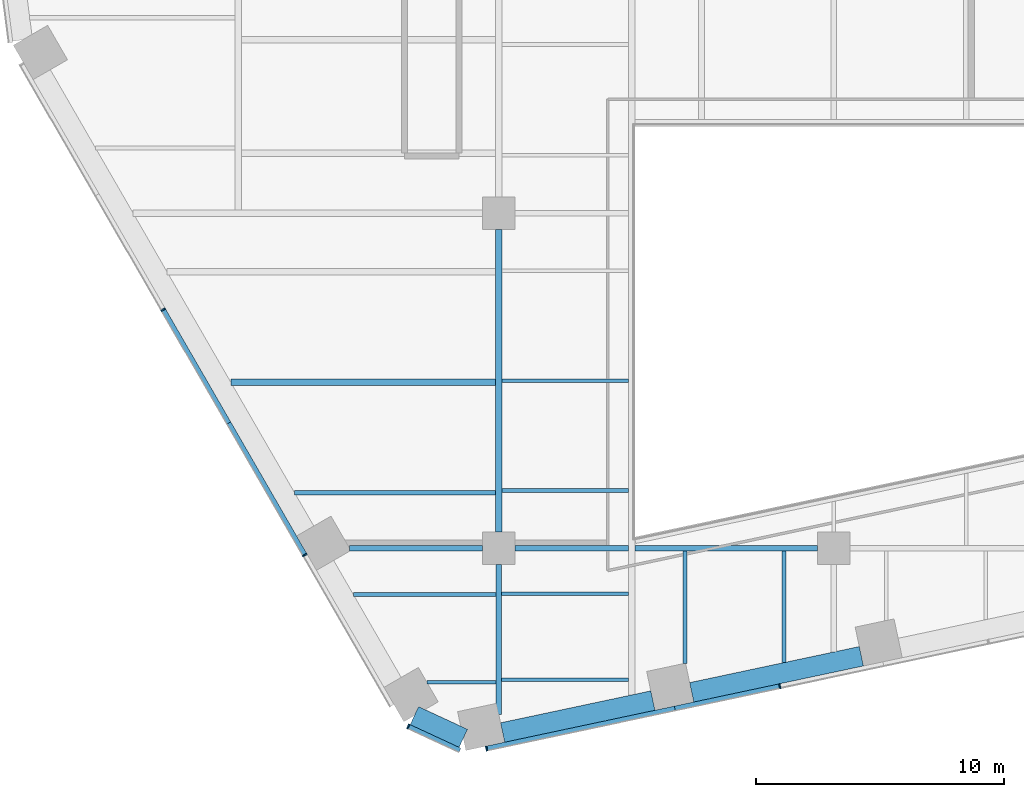
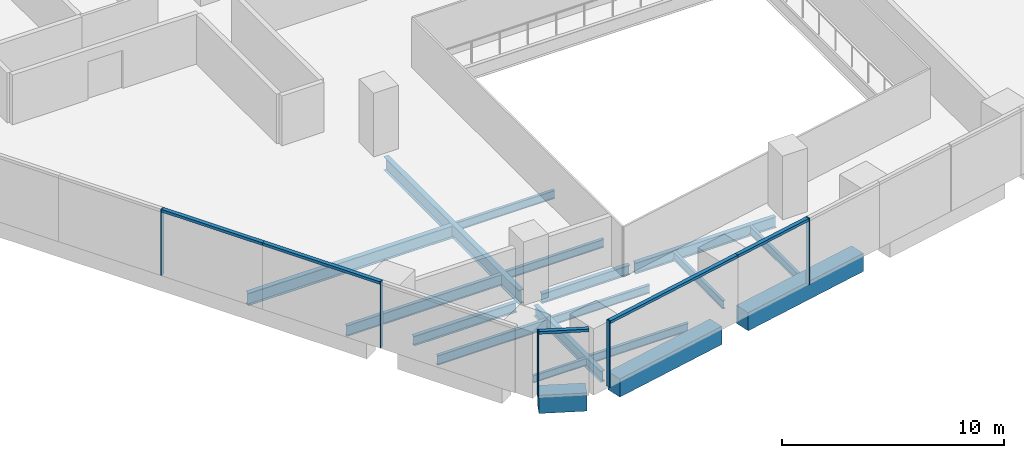
# One storey, part 2 of 21: 18 beams, 10 members, 3 elements without a shape of their own.
"""IFC4 building model written with IfcOpenShell, lengths in metres."""

from ifc_helpers import new_model, si_unit, direction, frame, origin, origin_2d, place, context, subcontext, project, spatial, rectangle, i_section, extrude, material, layer, layer_set, material_profile, profile_set, type_object, element, aggregate, save


model = new_model("IFC4")

# Units and contexts
model_context = context("Model", 3, precision=1e-05, world=origin(), true_north=direction((0.0, 1.0)))
body_context = subcontext(model_context, "Body", "Model", "MODEL_VIEW")
ifc_project = project(units=[si_unit("LENGTHUNIT", "METRE"), si_unit("AREAUNIT", "SQUARE_METRE"), si_unit("VOLUMEUNIT", "CUBIC_METRE"), si_unit("PLANEANGLEUNIT", "RADIAN"), si_unit("MASSUNIT", "GRAM", prefix="KILO")], contexts=[model_context])

# Site, building, storey
site_placement = place(None, origin())
site = spatial("IfcSite", under=ifc_project, at=site_placement, CompositionType="ELEMENT")
building_placement = place(site_placement, origin())
building = spatial("IfcBuilding", under=site, at=building_placement, Name="Isthmus Gate Tower", CompositionType="ELEMENT")
storey_placement = place(building_placement, frame((0.0, 0.0, 106.199951171875)))
storey = spatial("IfcBuildingStorey", under=building, at=storey_placement, Name="L25", CompositionType="ELEMENT", Elevation=106.199951171875)

# Curtain wall, members
ifc_material_1 = material(Name="Aluminium, pale champagne anodised", Category="aluminium")
ifc_layer = layer(ifc_material_1, 0.199951171875)
ifc_layer_set = layer_set([ifc_layer], Name="CW-1 UNITISED CURTAIN WALL 200 DEEP")
curtain_wall_type = type_object("IfcCurtainWallType", Name="CW-1 UNITISED CURTAIN WALL 200 DEEP", PredefinedType="NOTDEFINED", material=ifc_layer_set)
curtain_wall_1_placement = place(storey_placement, origin())
curtain_wall_1 = element("IfcCurtainWall", 1, at=curtain_wall_1_placement, inside=storey, type_object=curtain_wall_type, Name="CW-1 SW L25", PredefinedType="NOTDEFINED")
ifc_material_2 = material(Name="Aluminium, pale champagne anodised", Category="aluminium")
ifc_material_profile_1 = material_profile(ifc_material_2, rectangle(XDim=0.06005859375, YDim=0.199951171875, at=origin_2d()), Name="60x200")
ifc_profile_set_1 = profile_set([ifc_material_profile_1], Name="Aluminium, pale champagne anodised")
member_type_1 = type_object("IfcMemberType", Name="CW-1 MULLION 60 X 200", PredefinedType="MULLION", material=ifc_profile_set_1)
member_1_placement = place(storey_placement, frame((-27.026611328125, -17.388427734375, 0.0), z_axis=(0.0, 0.0, 1.0), x_axis=(0.5, -0.866025403784, 0.0)))
member_1 = element("IfcMember", 2, at=member_1_placement, type_object=member_type_1, Name="CW-1 mullion", PredefinedType="MULLION", context=body_context, shape_type="SweptSolid", body=[
    extrude(rectangle(XDim=0.06005859375, YDim=0.199951171875, at=origin_2d()), origin(), (0.0, 0.0, 1.0), 3.650146484375),
])
member_2_placement = place(storey_placement, frame((-21.318115234375, -27.27587890625, 0.0), z_axis=(0.0, 0.0, 1.0), x_axis=(0.5, -0.866025403784, 0.0)))
member_2 = element("IfcMember", 3, at=member_2_placement, type_object=member_type_1, Name="CW-1 mullion", PredefinedType="MULLION", context=body_context, shape_type="SweptSolid", body=[
    extrude(rectangle(XDim=0.06005859375, YDim=0.199951171875, at=origin_2d()), origin(), (0.0, 0.0, 1.0), 3.650146484375),
])

# Curtain wall, member
curtain_wall_2_placement = place(storey_placement, origin())
curtain_wall_2 = element("IfcCurtainWall", 4, at=curtain_wall_2_placement, inside=storey, type_object=curtain_wall_type, Name="CW-1 SW-S L25", PredefinedType="NOTDEFINED")
member_3_placement = place(storey_placement, frame((-17.14794921875, -34.184814453125, 0.0), z_axis=(0.0, 0.0, 1.0), x_axis=(0.907256261367, -0.420578264073, 0.0)))
member_3 = element("IfcMember", 5, at=member_3_placement, type_object=member_type_1, Name="CW-1 mullion", PredefinedType="MULLION", context=body_context, shape_type="SweptSolid", body=[
    extrude(rectangle(XDim=0.06005859375, YDim=0.199951171875, at=origin_2d()), origin(), (0.0, 0.0, 1.0), 3.650146484375),
])

# Curtain wall, members
curtain_wall_3_placement = place(storey_placement, origin())
curtain_wall_3 = element("IfcCurtainWall", 6, at=curtain_wall_3_placement, inside=storey, type_object=curtain_wall_type, Name="CW-1 S L25", PredefinedType="NOTDEFINED")
member_4_placement = place(storey_placement, frame((-13.992919921875, -35.076416015625, 0.0), z_axis=(0.0, 0.0, 1.0), x_axis=(0.978147600734, 0.207911690818, 0.0)))
member_4 = element("IfcMember", 7, at=member_4_placement, type_object=member_type_1, Name="CW-1 mullion", PredefinedType="MULLION", context=body_context, shape_type="SweptSolid", body=[
    extrude(rectangle(XDim=0.06005859375, YDim=0.199951171875, at=origin_2d()), origin(), (0.0, 0.0, 1.0), 3.650146484375),
])
member_5_placement = place(storey_placement, frame((-2.1728515625, -32.564208984375, 0.0), z_axis=(0.0, 0.0, 1.0), x_axis=(0.978147600734, 0.207911690818, 0.0)))
member_5 = element("IfcMember", 8, at=member_5_placement, type_object=member_type_1, Name="CW-1 mullion", PredefinedType="MULLION", context=body_context, shape_type="SweptSolid", body=[
    extrude(rectangle(XDim=0.06005859375, YDim=0.199951171875, at=origin_2d()), origin(), (0.0, 0.0, 1.0), 3.650146484375),
])

# Member
ifc_material_3 = material(Name="Aluminium, pale champagne anodised", Category="aluminium")
ifc_material_profile_2 = material_profile(ifc_material_3, rectangle(XDim=0.199951171875, YDim=0.14990234375, at=origin_2d()), Name="200x150")
ifc_profile_set_2 = profile_set([ifc_material_profile_2], Name="Aluminium, pale champagne anodised")
member_type_2 = type_object("IfcMemberType", Name="CW-1 TRANSOM 200 X 150", PredefinedType="USERDEFINED", material=ifc_profile_set_2)
member_6_placement = place(storey_placement, frame((-27.01171875, -17.414306640625, 3.574951171875), z_axis=(0.499996256241, -0.866027565234, 0.0), x_axis=(0.866027565234, 0.499996256241, 0.0)))
member_6 = element("IfcMember", 9, at=member_6_placement, type_object=member_type_2, Name="CW-1 transom", ObjectType="TRANSOM", PredefinedType="USERDEFINED", context=body_context, shape_type="SweptSolid", body=[
    extrude(rectangle(XDim=0.199951171875, YDim=0.14990234375, at=origin_2d()), origin(), (0.0, 0.0, 1.0), 5.24853515625),
])

member_7_placement = place(storey_placement, frame((-24.387451171875, -21.959716796875, 3.574951171875), z_axis=(0.500011900272, -0.86601853305, 0.0), x_axis=(0.86601853305, 0.500011900272, 0.0)))
member_7 = element("IfcMember", 10, at=member_7_placement, type_object=member_type_2, Name="CW-1 transom", ObjectType="TRANSOM", PredefinedType="USERDEFINED", context=body_context, shape_type="SweptSolid", body=[
    extrude(rectangle(XDim=0.199951171875, YDim=0.14990234375, at=origin_2d()), origin(), (0.0, 0.0, 1.0), 6.108642578125),
])

aggregate(curtain_wall_1, [member_1, member_6, member_7, member_2])

member_8_placement = place(storey_placement, frame((-17.120849609375, -34.197509765625, 3.574951171875), z_axis=(0.907246225564, -0.420599912268, 0.0), x_axis=(0.420599912268, 0.907246225564, 0.0)))
member_8 = element("IfcMember", 11, at=member_8_placement, type_object=member_type_2, Name="CW-1 transom", ObjectType="TRANSOM", PredefinedType="USERDEFINED", context=body_context, shape_type="SweptSolid", body=[
    extrude(rectangle(XDim=0.199951171875, YDim=0.14990234375, at=origin_2d()), origin(), (0.0, 0.0, 1.0), 2.258544921875),
])

aggregate(curtain_wall_2, [member_3, member_8])

member_9_placement = place(storey_placement, frame((-13.963623046875, -35.0703125, 3.574951171875), z_axis=(0.97815050153, 0.207898043176, 0.0), x_axis=(-0.207898043176, 0.97815050153, 0.0)))
member_9 = element("IfcMember", 12, at=member_9_placement, type_object=member_type_2, Name="CW-1 transom", ObjectType="TRANSOM", PredefinedType="USERDEFINED", context=body_context, shape_type="SweptSolid", body=[
    extrude(rectangle(XDim=0.199951171875, YDim=0.14990234375, at=origin_2d()), origin(), (0.0, 0.0, 1.0), 7.7294921875),
])

member_10_placement = place(storey_placement, frame((-6.403076171875, -33.46337890625, 3.574951171875), z_axis=(0.97813890815, 0.207952582007, 0.0), x_axis=(-0.207952582007, 0.97813890815, 0.0)))
member_10 = element("IfcMember", 13, at=member_10_placement, type_object=member_type_2, Name="CW-1 transom", ObjectType="TRANSOM", PredefinedType="USERDEFINED", context=body_context, shape_type="SweptSolid", body=[
    extrude(rectangle(XDim=0.199951171875, YDim=0.14990234375, at=origin_2d()), origin(), (0.0, 0.0, 1.0), 4.294677734375),
])

aggregate(curtain_wall_3, [member_4, member_9, member_10, member_5])

# Beams
ifc_material_4 = material(Name="Concrete f'c 70 MPa", Category="concrete")
ifc_material_profile_3 = material_profile(ifc_material_4, rectangle(XDim=0.800048828125, YDim=1.0, at=origin_2d()), Name="RC 800X1000")
ifc_profile_set_3 = profile_set([ifc_material_profile_3], Name="Concrete f'c 70 MPa")
beam_type_1 = type_object("IfcBeamType", Name="RC SPANDREL 800 X 1000", PredefinedType="SPANDREL", material=ifc_profile_set_3)
beam_1_placement = place(storey_placement, frame((1.112060546875, -31.354736328125, -0.5), z_axis=(-0.978149173437, -0.207904291694, 0.0), x_axis=(0.207904291694, -0.978149173437, 0.0)))
element("IfcBeam", 14, at=beam_1_placement, inside=storey, type_object=beam_type_1, Name="str-spandrel-L25-12", PredefinedType="SPANDREL", context=body_context, shape_type="SweptSolid", body=[
    extrude(rectangle(XDim=0.800048828125, YDim=1.0, at=origin_2d()), origin(), (0.0, 0.0, 1.0), 6.989501953125),
])
beam_2_placement = place(storey_placement, frame((-7.28955078125, -33.140625, -0.5), z_axis=(-0.978155442329, -0.207874795591, 0.0), x_axis=(0.207874795591, -0.978155442329, 0.0)))
element("IfcBeam", 15, at=beam_2_placement, inside=storey, type_object=beam_type_1, Name="str-spandrel-L25-13", PredefinedType="SPANDREL", context=body_context, shape_type="SweptSolid", body=[
    extrude(rectangle(XDim=0.800048828125, YDim=1.0, at=origin_2d()), origin(), (0.0, 0.0, 1.0), 6.189453125),
])
beam_3_placement = place(storey_placement, frame((-14.929443359375, -34.662109375, -0.5), z_axis=(-0.907290744498, 0.420503870314, 0.0), x_axis=(-0.420503870314, -0.907290744498, 0.0)))
element("IfcBeam", 16, at=beam_3_placement, inside=storey, type_object=beam_type_1, Name="str-spandrel-L25-14", PredefinedType="SPANDREL", context=body_context, shape_type="SweptSolid", body=[
    extrude(rectangle(XDim=0.800048828125, YDim=1.0, at=origin_2d()), origin(), (0.0, 0.0, 1.0), 2.173095703125),
])
ifc_material_5 = material(Name="Structural steel ASTM A992 Gr 50", Category="steel")
ifc_material_profile_4 = material_profile(ifc_material_5, i_section(OverallWidth=0.1396484375, OverallDepth=0.4033203125, WebThickness=0.00634765625, FlangeThickness=0.010986328125, at=origin_2d()), Name="W16X31")
ifc_profile_set_4 = profile_set([ifc_material_profile_4], Name="Structural steel ASTM A992 Gr 50")
beam_type_2 = type_object("IfcBeamType", Name="STEEL FLOOR BEAM W16X31", PredefinedType="JOIST", material=ifc_profile_set_4)
beam_4_placement = place(storey_placement, frame((-16.393310546875, -32.406005859375, -0.3515625), z_axis=(1.0, 0.0, 0.0), x_axis=(0.0, 1.0, 0.0)))
element("IfcBeam", 17, at=beam_4_placement, inside=storey, type_object=beam_type_2, Name="str-beam-L25-10-00", PredefinedType="JOIST", context=body_context, shape_type="SweptSolid", body=[
    extrude(i_section(OverallWidth=0.1396484375, OverallDepth=0.4033203125, WebThickness=0.00634765625, FlangeThickness=0.010986328125, at=origin_2d()), origin(), (0.0, 0.0, 1.0), 2.779052734375),
])
ifc_material_6 = material(Name="Structural steel ASTM A992 Gr 50", Category="steel")
ifc_material_profile_5 = material_profile(ifc_material_6, i_section(OverallWidth=0.15234375, OverallDepth=0.45068359375, WebThickness=0.0078125, FlangeThickness=0.010986328125, at=origin_2d()), Name="W18X35")
ifc_profile_set_5 = profile_set([ifc_material_profile_5], Name="Structural steel ASTM A992 Gr 50")
beam_type_3 = type_object("IfcBeamType", Name="STEEL FLOOR BEAM W18X35", PredefinedType="JOIST", material=ifc_profile_set_5)
for number, where, z_axis, x_axis, name in (
    (18, (-13.3857421875, -32.30322265625, -0.375244140625), (1.0, 0.0, 0.0), (0.0, 1.0, 0.0), "str-beam-L25-11-00"),
    (19, (-13.3857421875, -28.837646484375, -0.375244140625), (1.0, 0.0, 0.0), (0.0, 1.0, 0.0), "str-beam-L25-11-01"),
):
    element("IfcBeam", number, at=place(storey_placement, frame(where, z_axis=z_axis, x_axis=x_axis)), inside=storey, type_object=beam_type_3, Name=name, PredefinedType="JOIST", context=body_context, shape_type="SweptSolid", body=[
        extrude(i_section(OverallWidth=0.15234375, OverallDepth=0.45068359375, WebThickness=0.0078125, FlangeThickness=0.010986328125, at=origin_2d()), origin(), (0.0, 0.0, 1.0), 5.119140625),
    ])
for number, where, z_axis, x_axis, name in (
    (20, (-13.3681640625, -24.68017578125, -0.375244140625), (1.0, 0.0, 0.0), (0.0, 1.0, 0.0), "str-beam-L25-13-00"),
    (21, (-13.3681640625, -20.25, -0.375244140625), (1.0, 0.0, 0.0), (0.0, 1.0, 0.0), "str-beam-L25-13-01"),
):
    element("IfcBeam", number, at=place(storey_placement, frame(where, z_axis=z_axis, x_axis=x_axis)), inside=storey, type_object=beam_type_3, Name=name, PredefinedType="JOIST", context=body_context, shape_type="SweptSolid", body=[
        extrude(i_section(OverallWidth=0.15234375, OverallDepth=0.45068359375, WebThickness=0.0078125, FlangeThickness=0.010986328125, at=origin_2d()), origin(), (0.0, 0.0, 1.0), 5.1015625),
    ])
beam_5_placement = place(storey_placement, frame((-6.0, -31.6396484375, -0.375244140625), z_axis=(0.0, 1.0, 0.0), x_axis=(-1.0, 0.0, 0.0)))
element("IfcBeam", 22, at=beam_5_placement, inside=storey, type_object=beam_type_3, Name="str-beam-L25-16-00", PredefinedType="JOIST", context=body_context, shape_type="SweptSolid", body=[
    extrude(i_section(OverallWidth=0.15234375, OverallDepth=0.45068359375, WebThickness=0.0078125, FlangeThickness=0.010986328125, at=origin_2d()), origin(), (0.0, 0.0, 1.0), 4.525390625),
])
beam_6_placement = place(storey_placement, frame((-2.0, -31.607177734375, -0.375244140625), z_axis=(0.0, 1.0, 0.0), x_axis=(-1.0, 0.0, 0.0)))
element("IfcBeam", 23, at=beam_6_placement, inside=storey, type_object=beam_type_3, Name="str-beam-L25-16-01", PredefinedType="JOIST", context=body_context, shape_type="SweptSolid", body=[
    extrude(i_section(OverallWidth=0.15234375, OverallDepth=0.45068359375, WebThickness=0.0078125, FlangeThickness=0.010986328125, at=origin_2d()), origin(), (0.0, 0.0, 1.0), 4.492919921875),
])
ifc_material_7 = material(Name="Structural steel ASTM A992 Gr 50", Category="steel")
ifc_material_profile_6 = material_profile(ifc_material_7, i_section(OverallWidth=0.1650390625, OverallDepth=0.52392578125, WebThickness=0.009521484375, FlangeThickness=0.010986328125, at=origin_2d()), Name="W21X44")
ifc_profile_set_6 = profile_set([ifc_material_profile_6], Name="Structural steel ASTM A992 Gr 50")
beam_type_4 = type_object("IfcBeamType", Name="STEEL FLOOR BEAM W21X44", PredefinedType="JOIST", material=ifc_profile_set_6)
beam_7_placement = place(storey_placement, frame((-19.357421875, -28.871826171875, -0.411865234375), z_axis=(1.0, 0.0, 0.0), x_axis=(0.0, 1.0, 0.0)))
element("IfcBeam", 24, at=beam_7_placement, inside=storey, type_object=beam_type_4, Name="str-beam-L25-10-01", PredefinedType="JOIST", context=body_context, shape_type="SweptSolid", body=[
    extrude(i_section(OverallWidth=0.1650390625, OverallDepth=0.52392578125, WebThickness=0.009521484375, FlangeThickness=0.010986328125, at=origin_2d()), origin(), (0.0, 0.0, 1.0), 5.7431640625),
])
ifc_material_8 = material(Name="Structural steel ASTM A992 Gr 50", Category="steel")
ifc_material_profile_7 = material_profile(ifc_material_8, i_section(OverallWidth=0.177734375, OverallDepth=0.60009765625, WebThickness=0.009521484375, FlangeThickness=0.0126953125, at=origin_2d()), Name="W24X55")
ifc_profile_set_7 = profile_set([ifc_material_profile_7], Name="Structural steel ASTM A992 Gr 50")
beam_type_5 = type_object("IfcBeamType", Name="STEEL FLOOR BEAM W24X55", PredefinedType="JOIST", material=ifc_profile_set_7)
beam_8_placement = place(storey_placement, frame((-21.724365234375, -24.772216796875, -0.449951171875), z_axis=(1.0, 0.0, 0.0), x_axis=(0.0, 1.0, 0.0)))
element("IfcBeam", 25, at=beam_8_placement, inside=storey, type_object=beam_type_5, Name="str-beam-L25-06-00", PredefinedType="JOIST", context=body_context, shape_type="SweptSolid", body=[
    extrude(i_section(OverallWidth=0.177734375, OverallDepth=0.60009765625, WebThickness=0.009521484375, FlangeThickness=0.0126953125, at=origin_2d()), origin(), (0.0, 0.0, 1.0), 8.092529296875),
])
ifc_material_9 = material(Name="Structural steel ASTM A992 Gr 50", Category="steel")
ifc_material_profile_8 = material_profile(ifc_material_9, i_section(OverallWidth=0.25390625, OverallDepth=0.679443359375, WebThickness=0.010986328125, FlangeThickness=0.015869140625, at=origin_2d()), Name="W27X84")
ifc_profile_set_8 = profile_set([ifc_material_profile_8], Name="Structural steel ASTM A992 Gr 50")
beam_type_6 = type_object("IfcBeamType", Name="STEEL FLOOR BEAM W27X84", PredefinedType="JOIST", material=ifc_profile_set_8)
beam_9_placement = place(storey_placement, frame((-24.296875, -20.316650390625, -0.48974609375), z_axis=(1.0, 0.0, 0.0), x_axis=(0.0, 1.0, 0.0)))
element("IfcBeam", 26, at=beam_9_placement, inside=storey, type_object=beam_type_6, Name="str-beam-L25-06-01", PredefinedType="JOIST", context=body_context, shape_type="SweptSolid", body=[
    extrude(i_section(OverallWidth=0.25390625, OverallDepth=0.679443359375, WebThickness=0.010986328125, FlangeThickness=0.015869140625, at=origin_2d()), origin(), (0.0, 0.0, 1.0), 10.6650390625),
])
ifc_material_10 = material(Name="Structural steel ASTM A992 Gr 50", Category="steel")
ifc_material_profile_9 = material_profile(ifc_material_10, i_section(OverallWidth=0.20947265625, OverallDepth=0.533447265625, WebThickness=0.009521484375, FlangeThickness=0.015869140625, at=origin_2d()), Name="W21X62")
ifc_profile_set_9 = profile_set([ifc_material_profile_9], Name="Structural steel ASTM A992 Gr 50")
beam_type_7 = type_object("IfcBeamType", Name="STEEL GIRDER W21X62", PredefinedType="BEAM", material=ifc_profile_set_9)
beam_10_placement = place(storey_placement, frame((-19.514404296875, -27.0, -0.416748046875), z_axis=(1.0, 0.0, 0.0), x_axis=(0.0, 1.0, 0.0)))
element("IfcBeam", 27, at=beam_10_placement, inside=storey, type_object=beam_type_7, Name="str-girder-L25-01", PredefinedType="BEAM", context=body_context, shape_type="SweptSolid", body=[
    extrude(i_section(OverallWidth=0.20947265625, OverallDepth=0.533447265625, WebThickness=0.009521484375, FlangeThickness=0.015869140625, at=origin_2d()), origin(), (0.0, 0.0, 1.0), 5.364501953125),
])
beam_11_placement = place(storey_placement, frame((-12.85009765625, -27.0, -0.416748046875), z_axis=(1.0, 0.0, 0.0), x_axis=(0.0, 1.0, 0.0)))
element("IfcBeam", 28, at=beam_11_placement, inside=storey, type_object=beam_type_7, Name="str-girder-L25-02", PredefinedType="BEAM", context=body_context, shape_type="SweptSolid", body=[
    extrude(i_section(OverallWidth=0.20947265625, OverallDepth=0.533447265625, WebThickness=0.009521484375, FlangeThickness=0.015869140625, at=origin_2d()), origin(), (0.0, 0.0, 1.0), 4.58349609375),
])
ifc_material_11 = material(Name="Structural steel ASTM A992 Gr 50", Category="steel")
ifc_material_profile_10 = material_profile(ifc_material_11, i_section(OverallWidth=0.228515625, OverallDepth=0.603271484375, WebThickness=0.010986328125, FlangeThickness=0.014404296875, at=origin_2d()), Name="W24X68")
ifc_profile_set_10 = profile_set([ifc_material_profile_10], Name="Structural steel ASTM A992 Gr 50")
beam_type_8 = type_object("IfcBeamType", Name="STEEL GIRDER W24X68", PredefinedType="BEAM", material=ifc_profile_set_10)
beam_12_placement = place(storey_placement, frame((-8.0, -27.0, -0.45166015625), z_axis=(1.0, 0.0, 0.0), x_axis=(0.0, 1.0, 0.0)))
element("IfcBeam", 29, at=beam_12_placement, inside=storey, type_object=beam_type_8, Name="str-girder-L25-03", PredefinedType="BEAM", context=body_context, shape_type="SweptSolid", body=[
    extrude(i_section(OverallWidth=0.228515625, OverallDepth=0.603271484375, WebThickness=0.010986328125, FlangeThickness=0.014404296875, at=origin_2d()), origin(), (0.0, 0.0, 1.0), 7.35009765625),
])
beam_13_placement = place(storey_placement, frame((-13.5, -33.69189453125, -0.45166015625), z_axis=(0.0, 1.0, 0.0), x_axis=(-1.0, 0.0, 0.0)))
element("IfcBeam", 30, at=beam_13_placement, inside=storey, type_object=beam_type_8, Name="str-girder-L25-24", PredefinedType="BEAM", context=body_context, shape_type="SweptSolid", body=[
    extrude(i_section(OverallWidth=0.228515625, OverallDepth=0.603271484375, WebThickness=0.010986328125, FlangeThickness=0.014404296875, at=origin_2d()), origin(), (0.0, 0.0, 1.0), 6.0419921875),
])
ifc_material_12 = material(Name="Structural steel ASTM A992 Gr 50", Category="steel")
ifc_material_profile_11 = material_profile(ifc_material_12, i_section(OverallWidth=0.263427734375, OverallDepth=0.749267578125, WebThickness=0.0126953125, FlangeThickness=0.015869140625, at=origin_2d()), Name="W30X90")
ifc_profile_set_11 = profile_set([ifc_material_profile_11], Name="Structural steel ASTM A992 Gr 50")
beam_type_9 = type_object("IfcBeamType", Name="STEEL GIRDER W30X90", PredefinedType="BEAM", material=ifc_profile_set_11)
beam_14_placement = place(storey_placement, frame((-13.5, -26.35009765625, -0.524658203125), z_axis=(0.0, 1.0, 0.0), x_axis=(-1.0, 0.0, 0.0)))
element("IfcBeam", 31, at=beam_14_placement, inside=storey, type_object=beam_type_9, Name="str-girder-L25-25", PredefinedType="BEAM", context=body_context, shape_type="SweptSolid", body=[
    extrude(i_section(OverallWidth=0.263427734375, OverallDepth=0.749267578125, WebThickness=0.0126953125, FlangeThickness=0.015869140625, at=origin_2d()), origin(), (0.0, 0.0, 1.0), 12.2001953125),
])

save(model, "model.ifc")
